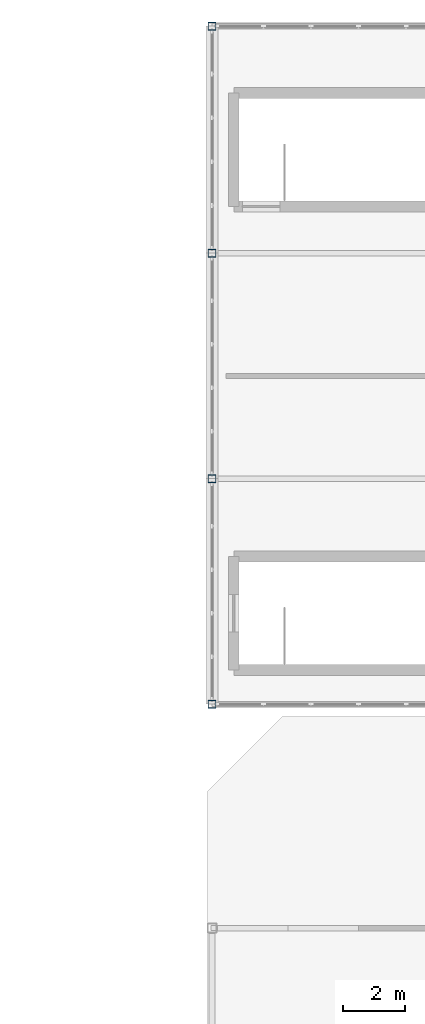
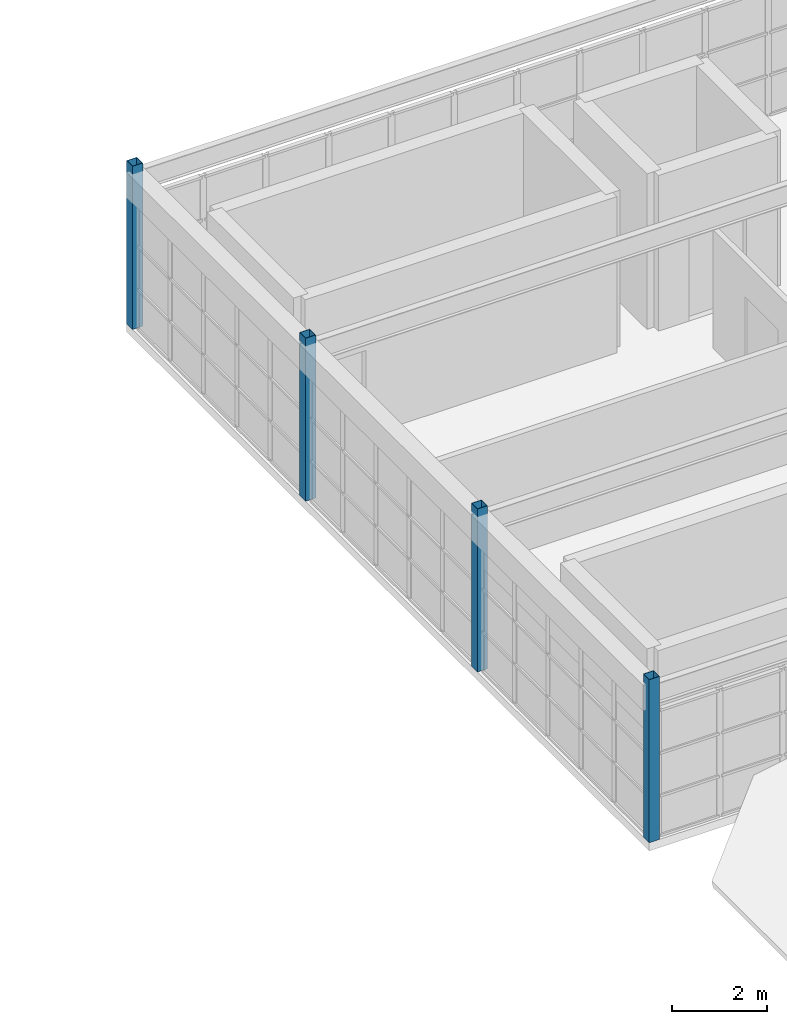
# One storey, part 2 of 19: 4 columns.
"""IFC4 building model written with IfcOpenShell, lengths in metres."""

from ifc_helpers import new_model, si_unit, direction, frame, origin, origin_2d, place, context, subcontext, project, spatial, hollow_rectangle, extrude, material, material_profile, profile_set, type_object, element, save


model = new_model("IFC4")

# Units and contexts
model_context = context("Model", 3, precision=1e-05, world=origin(), true_north=direction((0.0, 1.0)))
body_context = subcontext(model_context, "Body", "Model", "MODEL_VIEW")
ifc_project = project(units=[si_unit("LENGTHUNIT", "METRE"), si_unit("AREAUNIT", "SQUARE_METRE"), si_unit("VOLUMEUNIT", "CUBIC_METRE"), si_unit("PLANEANGLEUNIT", "RADIAN"), si_unit("MASSUNIT", "GRAM", prefix="KILO")], contexts=[model_context])

# Site, building, storey
site_placement = place(None, origin())
site = spatial("IfcSite", under=ifc_project, at=site_placement, CompositionType="ELEMENT")
building_placement = place(site_placement, origin())
building = spatial("IfcBuilding", under=site, at=building_placement, Name="Candilejo Ridge Gondola Terminal", CompositionType="ELEMENT")
storey_placement = place(building_placement, frame((0.0, 0.0, 22.800048828125)))
storey = spatial("IfcBuildingStorey", under=building, at=storey_placement, Name="L05", CompositionType="ELEMENT", Elevation=22.800048828125)

# Columns
ifc_material = material(Name="Steel ASTM A500 Grade C", Category="steel")
ifc_material_profile = material_profile(ifc_material, hollow_rectangle(XDim=0.25, YDim=0.25, WallThickness=0.010009765625, at=origin_2d()))
ifc_profile_set = profile_set([ifc_material_profile], Name="Steel ASTM A500 Grade C")
column_type = type_object("IfcColumnType", Name="STR-COL-HSS250", PredefinedType="COLUMN", material=ifc_profile_set)
for number, where, z_axis, x_axis, name in (
    (1, (150.0, 99.050048828125, 0.0), (0.0, 0.0, 1.0), (1.0, 0.0, 0.0), "Column V5 L05 X23-Y17"),
    (2, (150.0, 106.300048828125, 0.0), (0.0, 0.0, 1.0), (1.0, 0.0, 0.0), "Column V5 L05 X23-Y18"),
    (3, (150.0, 113.550048828125, 0.0), (0.0, 0.0, 1.0), (1.0, 0.0, 0.0), "Column V5 L05 X23-Y19"),
    (4, (150.0, 120.85009765625, 0.0), (0.0, 0.0, 1.0), (1.0, 0.0, 0.0), "Column V5 L05 X23-Y20"),
):
    element("IfcColumn", number, at=place(storey_placement, frame(where, z_axis=z_axis, x_axis=x_axis)), inside=storey, type_object=column_type, Name=name, PredefinedType="COLUMN", context=body_context, shape_type="SweptSolid", body=[
        extrude(hollow_rectangle(XDim=0.25, YDim=0.25, WallThickness=0.010009765625, at=origin_2d()), origin(), (0.0, 0.0, 1.0), 4.199951171875),
    ])

save(model, "model.ifc")
